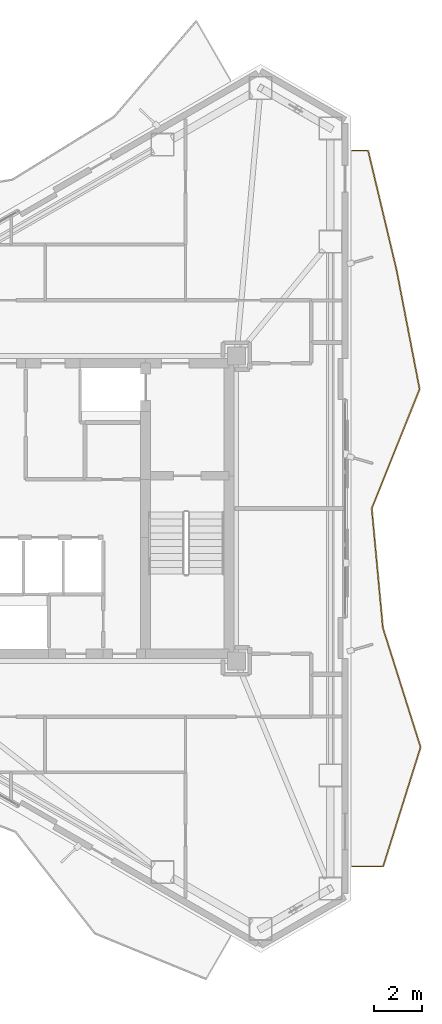
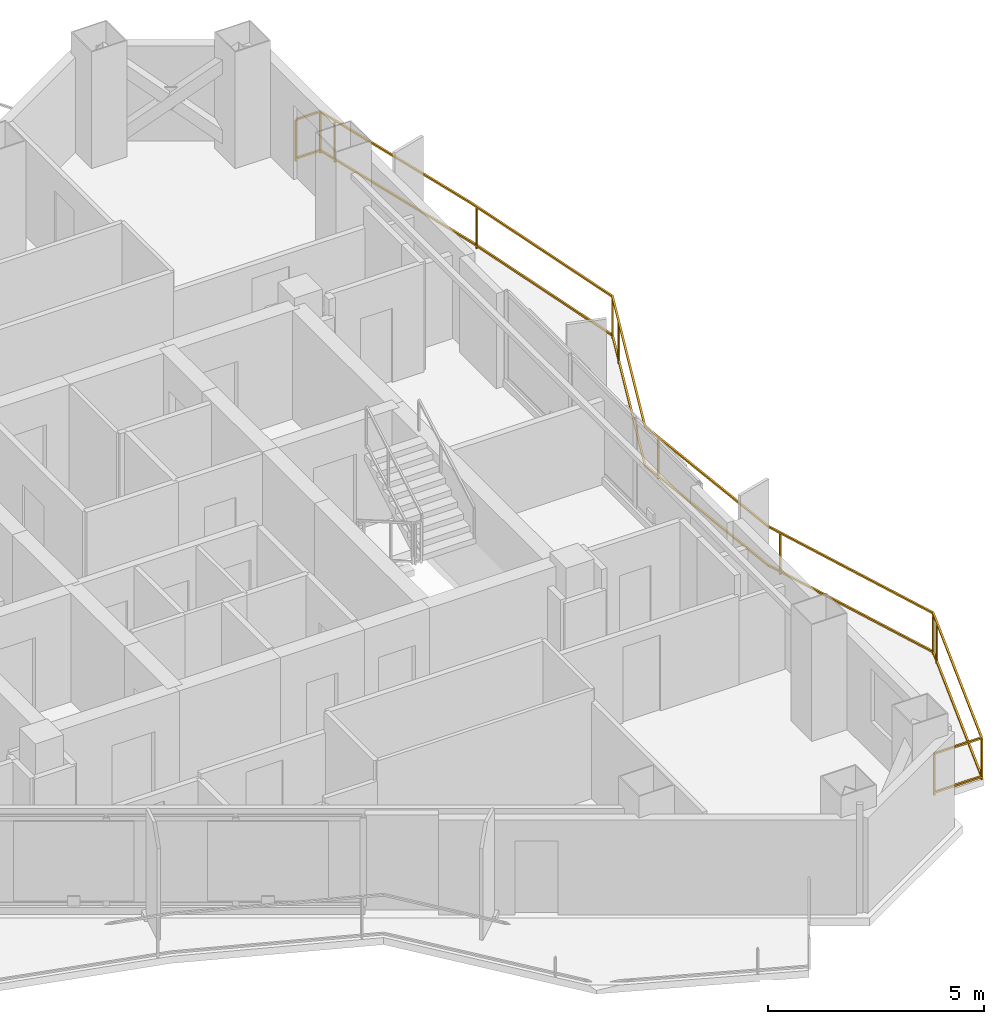
# One storey, part 21 of 21: 1 railing.
"""IFC4 building model written with IfcOpenShell, lengths in metres."""

from ifc_helpers import new_model, si_unit, direction, frame, origin, origin_2d, place, context, subcontext, project, spatial, rectangle, extrude, material, type_object, element, save


model = new_model("IFC4")

# Units and contexts
model_context = context("Model", 3, precision=1e-05, world=origin(), true_north=direction((0.0, 1.0)))
body_context = subcontext(model_context, "Body", "Model", "MODEL_VIEW")
ifc_project = project(units=[si_unit("LENGTHUNIT", "METRE"), si_unit("AREAUNIT", "SQUARE_METRE"), si_unit("VOLUMEUNIT", "CUBIC_METRE"), si_unit("PLANEANGLEUNIT", "RADIAN"), si_unit("MASSUNIT", "GRAM", prefix="KILO")], contexts=[model_context])

# Site, building, storey
site_placement = place(None, origin())
site = spatial("IfcSite", under=ifc_project, at=site_placement, CompositionType="ELEMENT")
building_placement = place(site_placement, origin())
building = spatial("IfcBuilding", under=site, at=building_placement, Name="Mersakhor Tower and Convention Hall", CompositionType="ELEMENT")
storey_placement = place(building_placement, frame((0.0, 0.0, 185.39990234375)))
storey = spatial("IfcBuildingStorey", under=building, at=storey_placement, Name="L51", CompositionType="ELEMENT", Elevation=185.39990234375)

# Railing
ifc_material = material(Name="Powder-coated galvanised steel and laminated glass balustrade", Category="steel")
railing_type = type_object("IfcRailingType", Name="RL-BAL-1200", PredefinedType="BALUSTRADE", material=ifc_material)
railing_placement = place(storey_placement, frame((40.888427734375, 11.957275390625, 0.0)))
element("IfcRailing", 1, at=railing_placement, inside=storey, type_object=railing_type, Name="L51 Sinusoidal Balcony Balustrade F2", PredefinedType="BALUSTRADE", context=body_context, shape_type="SweptSolid", body=[
    extrude(rectangle(XDim=0.048095703125, YDim=0.048095703125, at=origin_2d()), frame((0.0, 0.0, 1.17578125), z_axis=(1.0, 0.0, 0.0), x_axis=(0.0, 1.0, 0.0)), (0.0, 0.0, 1.0), 1.27294921875),
    extrude(rectangle(XDim=0.048095703125, YDim=0.048095703125, at=origin_2d()), frame((0.0, 0.0, 0.080078125), z_axis=(1.0, 0.0, 0.0), x_axis=(0.0, 1.0, 0.0)), (0.0, 0.0, 1.0), 1.27294921875),
    extrude(rectangle(XDim=0.048095703125, YDim=0.048095703125, at=origin_2d()), frame((1.27294921875, 0.0, 1.17578125), z_axis=(0.299369590017, 0.954137227328, 0.0), x_axis=(-0.954137227328, 0.299369590017, 0.0)), (0.0, 0.0, 1.0), 5.16796875),
    extrude(rectangle(XDim=0.048095703125, YDim=0.048095703125, at=origin_2d()), frame((1.27294921875, 0.0, 0.080078125), z_axis=(0.299369590017, 0.954137227328, 0.0), x_axis=(-0.954137227328, 0.299369590017, 0.0)), (0.0, 0.0, 1.0), 5.16796875),
    extrude(rectangle(XDim=0.048095703125, YDim=0.048095703125, at=origin_2d()), frame((2.820068359375, 4.930908203125, 1.17578125), z_axis=(-0.301303084076, 0.953528421981, 0.0), x_axis=(-0.953528421981, -0.301303084076, 0.0)), (0.0, 0.0, 1.0), 5.171142578125),
    extrude(rectangle(XDim=0.048095703125, YDim=0.048095703125, at=origin_2d()), frame((2.820068359375, 4.930908203125, 0.080078125), z_axis=(-0.301303084076, 0.953528421981, 0.0), x_axis=(-0.953528421981, -0.301303084076, 0.0)), (0.0, 0.0, 1.0), 5.171142578125),
    extrude(rectangle(XDim=0.048095703125, YDim=0.048095703125, at=origin_2d()), frame((1.261962890625, 9.86181640625, 1.17578125), z_axis=(-0.092682474925, 0.99569571599, 0.0), x_axis=(-0.99569571599, -0.092682474925, 0.0)), (0.0, 0.0, 1.0), 4.9521484375),
    extrude(rectangle(XDim=0.048095703125, YDim=0.048095703125, at=origin_2d()), frame((1.261962890625, 9.86181640625, 0.080078125), z_axis=(-0.092682474925, 0.99569571599, 0.0), x_axis=(-0.99569571599, -0.092682474925, 0.0)), (0.0, 0.0, 1.0), 4.9521484375),
    extrude(rectangle(XDim=0.048095703125, YDim=0.048095703125, at=origin_2d()), frame((0.802978515625, 14.792724609375, 1.17578125), z_axis=(0.371992820704, 0.928235606592, 0.0), x_axis=(-0.928235606592, 0.371992820704, 0.0)), (0.0, 0.0, 1.0), 5.31201171875),
    extrude(rectangle(XDim=0.048095703125, YDim=0.048095703125, at=origin_2d()), frame((0.802978515625, 14.792724609375, 0.080078125), z_axis=(0.371992820704, 0.928235606592, 0.0), x_axis=(-0.928235606592, 0.371992820704, 0.0)), (0.0, 0.0, 1.0), 5.31201171875),
    extrude(rectangle(XDim=0.048095703125, YDim=0.048095703125, at=origin_2d()), frame((2.779052734375, 19.7236328125, 1.17578125), z_axis=(-0.189923659462, 0.981798861059, 0.0), x_axis=(-0.981798861059, -0.189923659462, 0.0)), (0.0, 0.0, 1.0), 5.022216796875),
    extrude(rectangle(XDim=0.048095703125, YDim=0.048095703125, at=origin_2d()), frame((2.779052734375, 19.7236328125, 0.080078125), z_axis=(-0.189923659462, 0.981798861059, 0.0), x_axis=(-0.981798861059, -0.189923659462, 0.0)), (0.0, 0.0, 1.0), 5.022216796875),
    extrude(rectangle(XDim=0.048095703125, YDim=0.048095703125, at=origin_2d()), frame((1.8251953125, 24.654541015625, 1.17578125), z_axis=(-0.231857098364, 0.972749857845, 0.0), x_axis=(-0.972749857845, -0.231857098364, 0.0)), (0.0, 0.0, 1.0), 5.069091796875),
    extrude(rectangle(XDim=0.048095703125, YDim=0.048095703125, at=origin_2d()), frame((1.8251953125, 24.654541015625, 0.080078125), z_axis=(-0.231857098364, 0.972749857845, 0.0), x_axis=(-0.972749857845, -0.231857098364, 0.0)), (0.0, 0.0, 1.0), 5.069091796875),
    extrude(rectangle(XDim=0.048095703125, YDim=0.048095703125, at=origin_2d()), frame((0.64990234375, 29.58544921875, 1.17578125), z_axis=(-1.0, 0.0, 0.0), x_axis=(0.0, -1.0, 0.0)), (0.0, 0.0, 1.0), 0.64990234375),
    extrude(rectangle(XDim=0.048095703125, YDim=0.048095703125, at=origin_2d()), frame((0.64990234375, 29.58544921875, 0.080078125), z_axis=(-1.0, 0.0, 0.0), x_axis=(0.0, -1.0, 0.0)), (0.0, 0.0, 1.0), 0.64990234375),
    extrude(rectangle(XDim=0.0419921875, YDim=0.0419921875, at=origin_2d()), origin(), (0.0, 0.0, 1.0), 1.15185546875),
    extrude(rectangle(XDim=0.0419921875, YDim=0.0419921875, at=origin_2d()), frame((1.27294921875, 0.0, 0.0)), (0.0, 0.0, 1.0), 1.15185546875),
    extrude(rectangle(XDim=0.0419921875, YDim=0.0419921875, at=origin_2d()), frame((2.7099609375, 4.579833984375, 0.0)), (0.0, 0.0, 1.0), 1.15185546875),
    extrude(rectangle(XDim=0.0419921875, YDim=0.0419921875, at=origin_2d()), frame((2.820068359375, 4.930908203125, 0.0)), (0.0, 0.0, 1.0), 1.15185546875),
    extrude(rectangle(XDim=0.0419921875, YDim=0.0419921875, at=origin_2d()), frame((1.373779296875, 9.5078125, 0.0)), (0.0, 0.0, 1.0), 1.15185546875),
    extrude(rectangle(XDim=0.0419921875, YDim=0.0419921875, at=origin_2d()), frame((0.8515625, 14.271484375, 0.0)), (0.0, 0.0, 1.0), 1.15185546875),
    extrude(rectangle(XDim=0.0419921875, YDim=0.0419921875, at=origin_2d()), frame((2.393798828125, 18.762451171875, 0.0)), (0.0, 0.0, 1.0), 1.15185546875),
    extrude(rectangle(XDim=0.0419921875, YDim=0.0419921875, at=origin_2d()), frame((2.779052734375, 19.7236328125, 0.0)), (0.0, 0.0, 1.0), 1.15185546875),
    extrude(rectangle(XDim=0.0419921875, YDim=0.0419921875, at=origin_2d()), frame((1.867431640625, 24.436279296875, 0.0)), (0.0, 0.0, 1.0), 1.15185546875),
    extrude(rectangle(XDim=0.0419921875, YDim=0.0419921875, at=origin_2d()), frame((0.763916015625, 29.107421875, 0.0)), (0.0, 0.0, 1.0), 1.15185546875),
    extrude(rectangle(XDim=0.0419921875, YDim=0.0419921875, at=origin_2d()), frame((0.64990234375, 29.58544921875, 0.0)), (0.0, 0.0, 1.0), 1.15185546875),
    extrude(rectangle(XDim=0.0419921875, YDim=0.0419921875, at=origin_2d()), frame((0.0, 29.58544921875, 0.0)), (0.0, 0.0, 1.0), 1.15185546875),
])

save(model, "model.ifc")
